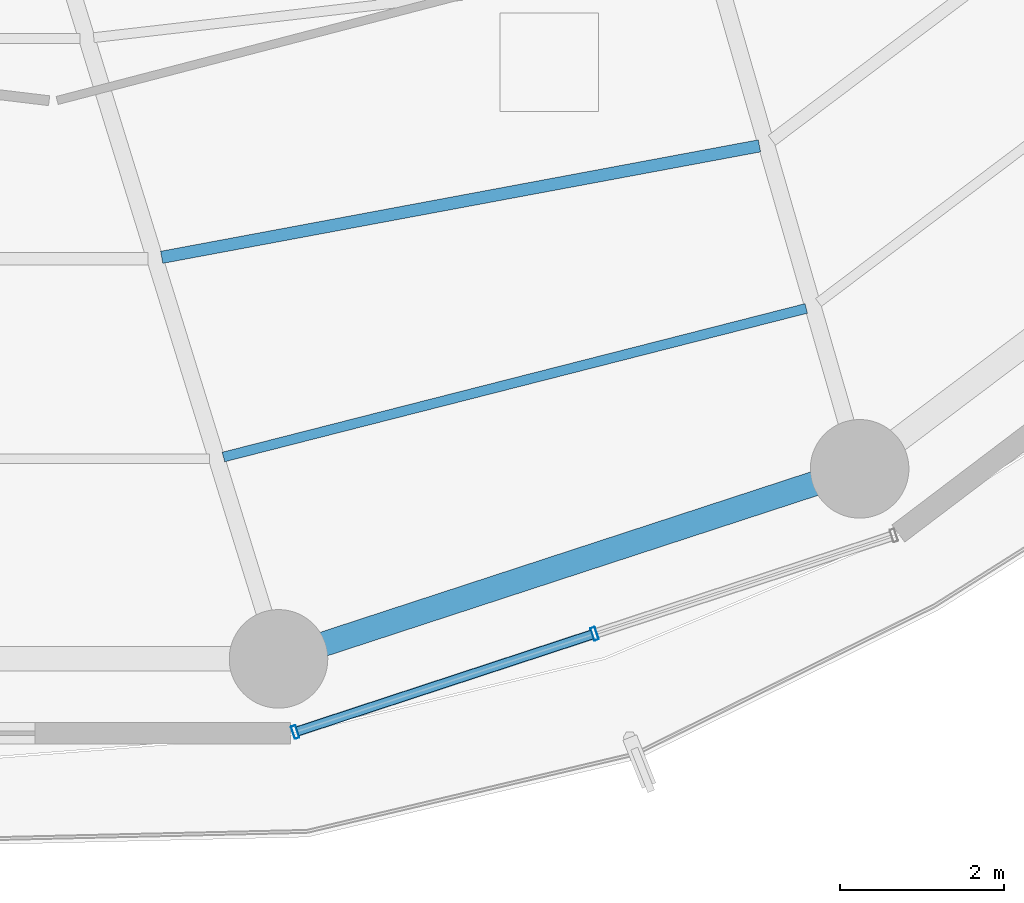
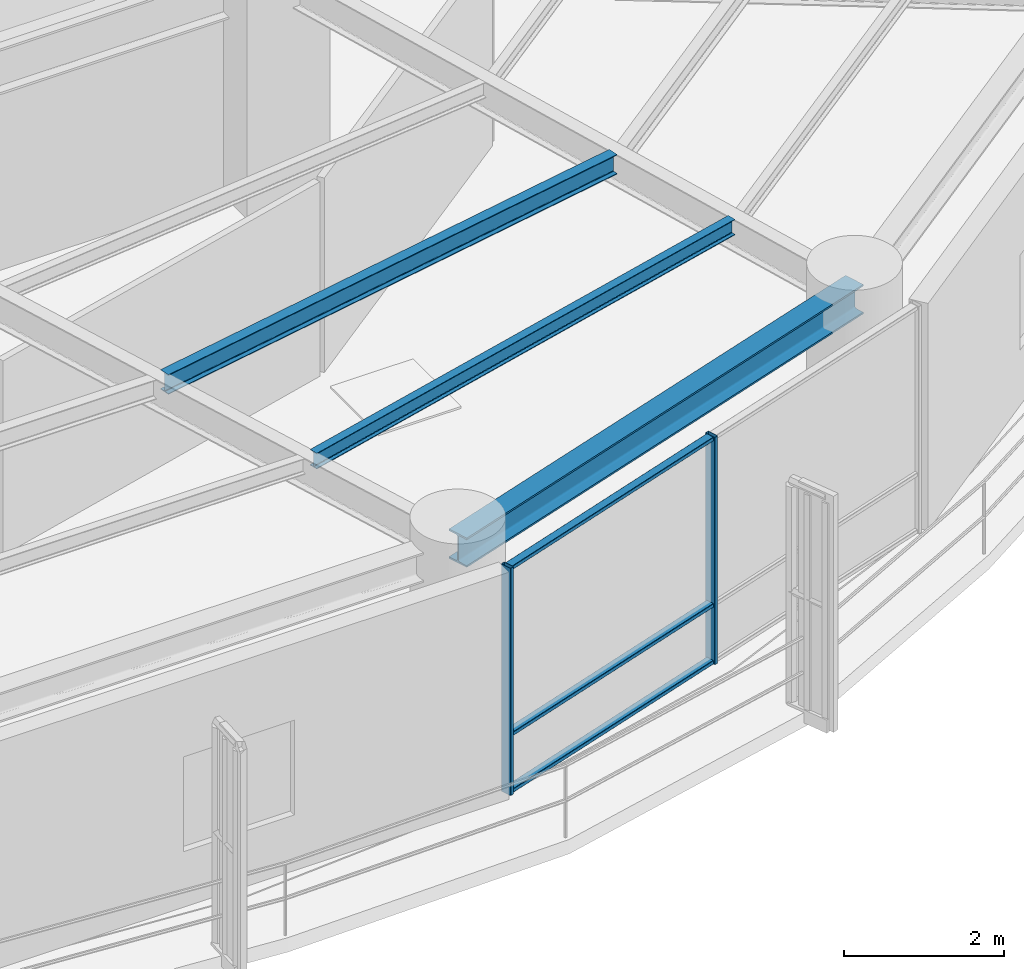
# One storey, part 4 of 27: 5 members, 3 beams, 1 element without a shape of its own.
"""IFC4 building model written with IfcOpenShell, lengths in metres."""

from ifc_helpers import new_model, si_unit, direction, frame, origin, origin_2d, place, context, subcontext, project, spatial, hollow_rectangle, i_section, extrude, material, layer, layer_set, material_profile, profile_set, type_object, element, aggregate, save


model = new_model("IFC4")

# Units and contexts
model_context = context("Model", 3, precision=1e-05, world=origin(), true_north=direction((0.0, 1.0)))
body_context = subcontext(model_context, "Body", "Model", "MODEL_VIEW")
ifc_project = project(units=[si_unit("LENGTHUNIT", "METRE"), si_unit("AREAUNIT", "SQUARE_METRE"), si_unit("VOLUMEUNIT", "CUBIC_METRE"), si_unit("PLANEANGLEUNIT", "RADIAN"), si_unit("MASSUNIT", "GRAM", prefix="KILO")], contexts=[model_context])

# Site, building, storey
site_placement = place(None, origin())
site = spatial("IfcSite", under=ifc_project, at=site_placement, CompositionType="ELEMENT")
building_placement = place(site_placement, origin())
building = spatial("IfcBuilding", under=site, at=building_placement, Name="Kelanora Arch Commons", CompositionType="ELEMENT")
storey_placement = place(building_placement, frame((0.0, 0.0, 154.35009765625)))
storey = spatial("IfcBuildingStorey", under=building, at=storey_placement, Name="L39", CompositionType="ELEMENT", Elevation=154.35009765625)

# Beams
ifc_material_1 = material(Name="Steel S355", Category="steel")
ifc_material_profile_1 = material_profile(ifc_material_1, i_section(OverallWidth=0.14990234375, OverallDepth=0.300048828125, WebThickness=0.007080078125, FlangeThickness=0.0107421875, FilletRadius=0.014892578125, at=origin_2d()), Name="IPE300")
ifc_profile_set_1 = profile_set([ifc_material_profile_1], Name="Steel S355")
beam_type_1 = type_object("IfcBeamType", Name="BM-JST-01", PredefinedType="JOIST", material=ifc_profile_set_1)
beam_1_placement = place(storey_placement, frame((76.34228515625, 43.705078125, 3.33984375), z_axis=(0.983054256126, 0.183314837134, 0.0), x_axis=(-0.183314837134, 0.983054256126, 0.0)))
element("IfcBeam", 1, at=beam_1_placement, inside=storey, type_object=beam_type_1, Name="Secondary Chord Joist BJB-28 L39", PredefinedType="JOIST", context=body_context, shape_type="SweptSolid", body=[
    extrude(i_section(OverallWidth=0.14990234375, OverallDepth=0.300048828125, WebThickness=0.007080078125, FlangeThickness=0.0107421875, FilletRadius=0.014892578125, at=origin_2d()), origin(), (0.0, 0.0, 1.0), 7.403564453125),
])
ifc_material_profile_2 = material_profile(ifc_material_1, i_section(OverallWidth=0.1201171875, OverallDepth=0.239990234375, WebThickness=0.006103515625, FlangeThickness=0.009765625, FilletRadius=0.014892578125, at=origin_2d()), Name="IPE240")
ifc_profile_set_2 = profile_set([ifc_material_profile_2], Name="Steel S355")
beam_type_2 = type_object("IfcBeamType", Name="BM-JST-02", PredefinedType="JOIST", material=ifc_profile_set_2)
beam_2_placement = place(storey_placement, frame((77.093994140625, 41.273681640625, 3.369873046875), z_axis=(0.96900232943, 0.247051584815, 0.0), x_axis=(-0.247051584815, 0.96900232943, 0.0)))
element("IfcBeam", 2, at=beam_2_placement, inside=storey, type_object=beam_type_2, Name="Secondary Chord Joist BJC-28 L39", PredefinedType="JOIST", context=body_context, shape_type="SweptSolid", body=[
    extrude(i_section(OverallWidth=0.1201171875, OverallDepth=0.239990234375, WebThickness=0.006103515625, FlangeThickness=0.009765625, FilletRadius=0.014892578125, at=origin_2d()), origin(), (0.0, 0.0, 1.0), 7.32275390625),
])
ifc_material_profile_3 = material_profile(ifc_material_1, i_section(OverallWidth=0.300048828125, OverallDepth=0.449951171875, WebThickness=0.013916015625, FlangeThickness=0.02587890625, FilletRadius=0.027099609375, at=origin_2d()), Name="HEB450")
ifc_profile_set_3 = profile_set([ifc_material_profile_3], Name="Steel S355")
beam_type_3 = type_object("IfcBeamType", Name="BM-SPN-Z3", PredefinedType="SPANDREL", material=ifc_profile_set_3)
beam_3_placement = place(storey_placement, frame((77.7646484375, 38.81591796875, 3.264892578125), z_axis=(0.950461975786, 0.310840847676, 0.0), x_axis=(-0.310840847676, 0.950461975786, 0.0)))
element("IfcBeam", 3, at=beam_3_placement, inside=storey, type_object=beam_type_3, Name="Perimeter Spandrel Beam BS-28 L39", PredefinedType="SPANDREL", context=body_context, shape_type="SweptSolid", body=[
    extrude(i_section(OverallWidth=0.300048828125, OverallDepth=0.449951171875, WebThickness=0.013916015625, FlangeThickness=0.02587890625, FilletRadius=0.027099609375, at=origin_2d()), origin(), (0.0, 0.0, 1.0), 7.444091796875),
])

# Curtain wall, members
ifc_material_2 = material(Name="Terracotta ceramic-fritted low-E glass and aluminium", Category="masonry")
ifc_layer = layer(ifc_material_2, 0.175048828125)
ifc_layer_set = layer_set([ifc_layer], Name="Terracotta ceramic-fritted low-E glass and aluminium")
curtain_wall_type = type_object("IfcCurtainWallType", Name="CW-SYS-02", PredefinedType="NOTDEFINED", material=ifc_layer_set)
curtain_wall_placement = place(storey_placement, origin())
curtain_wall = element("IfcCurtainWall", 4, at=curtain_wall_placement, inside=storey, type_object=curtain_wall_type, Name="Unitised Curtain Wall L39-B14", PredefinedType="NOTDEFINED")
ifc_material_3 = material(Name="Powder-coated aluminium terracotta", Category="masonry")
ifc_material_profile_4 = material_profile(ifc_material_3, hollow_rectangle(XDim=0.159912109375, YDim=0.06005859375, WallThickness=0.0048828125, InnerFilletRadius=0.0048828125, OuterFilletRadius=0.010009765625, at=origin_2d()), Name="CWM160x60")
ifc_profile_set_4 = profile_set([ifc_material_profile_4], Name="Powder-coated aluminium terracotta")
member_type_1 = type_object("IfcMemberType", Name="CWM-STD", PredefinedType="MULLION", material=ifc_profile_set_4)
member_1_placement = place(storey_placement, frame((77.96728515625, 37.924072265625, 0.0), z_axis=(0.0, 0.0, 1.0), x_axis=(-0.312128279571, 0.95003996605, 0.0)))
member_1 = element("IfcMember", 5, at=member_1_placement, type_object=member_type_1, Name="CW-02 mullion 1", PredefinedType="MULLION", context=body_context, shape_type="SweptSolid", body=[
    extrude(hollow_rectangle(XDim=0.159912109375, YDim=0.06005859375, WallThickness=0.0048828125, InnerFilletRadius=0.0048828125, OuterFilletRadius=0.010009765625, at=origin_2d()), origin(), (0.0, 0.0, 1.0), 3.474853515625),
])
member_2_placement = place(storey_placement, frame((81.6123046875, 39.12158203125, 0.0), z_axis=(0.0, 0.0, 1.0), x_axis=(-0.312128279571, 0.95003996605, 0.0)))
member_2 = element("IfcMember", 6, at=member_2_placement, type_object=member_type_1, Name="CW-02 mullion 2", PredefinedType="MULLION", context=body_context, shape_type="SweptSolid", body=[
    extrude(hollow_rectangle(XDim=0.159912109375, YDim=0.06005859375, WallThickness=0.0048828125, InnerFilletRadius=0.0048828125, OuterFilletRadius=0.010009765625, at=origin_2d()), origin(), (0.0, 0.0, 1.0), 3.474853515625),
])
ifc_material_profile_5 = material_profile(ifc_material_3, hollow_rectangle(XDim=0.1201171875, YDim=0.06005859375, WallThickness=0.0048828125, InnerFilletRadius=0.0048828125, OuterFilletRadius=0.010009765625, at=origin_2d()), Name="CWT120x60")
ifc_profile_set_5 = profile_set([ifc_material_profile_5], Name="Powder-coated aluminium terracotta")
member_type_2 = type_object("IfcMemberType", Name="CWT-STD", PredefinedType="USERDEFINED", material=ifc_profile_set_5)
member_3_placement = place(storey_placement, frame((77.99560546875, 37.933349609375, 0.02978515625), z_axis=(0.950051191155, 0.312094111104, 0.0), x_axis=(-0.312094111104, 0.950051191155, 0.0)))
member_3 = element("IfcMember", 7, at=member_3_placement, type_object=member_type_2, Name="CW-02 transom 1.1", ObjectType="TRANSOM", PredefinedType="USERDEFINED", context=body_context, shape_type="SweptSolid", body=[
    extrude(hollow_rectangle(XDim=0.1201171875, YDim=0.06005859375, WallThickness=0.0048828125, InnerFilletRadius=0.0048828125, OuterFilletRadius=0.010009765625, at=origin_2d()), origin(), (0.0, 0.0, 1.0), 3.77685546875),
])
member_4_placement = place(storey_placement, frame((77.99560546875, 37.933349609375, 0.89990234375), z_axis=(0.950051191155, 0.312094111104, 0.0), x_axis=(-0.312094111104, 0.950051191155, 0.0)))
member_4 = element("IfcMember", 8, at=member_4_placement, type_object=member_type_2, Name="CW-02 transom 1.2", ObjectType="TRANSOM", PredefinedType="USERDEFINED", context=body_context, shape_type="SweptSolid", body=[
    extrude(hollow_rectangle(XDim=0.1201171875, YDim=0.06005859375, WallThickness=0.0048828125, InnerFilletRadius=0.0048828125, OuterFilletRadius=0.010009765625, at=origin_2d()), origin(), (0.0, 0.0, 1.0), 3.77685546875),
])
member_5_placement = place(storey_placement, frame((77.99560546875, 37.933349609375, 3.44482421875), z_axis=(0.950051191155, 0.312094111104, 0.0), x_axis=(-0.312094111104, 0.950051191155, 0.0)))
member_5 = element("IfcMember", 9, at=member_5_placement, type_object=member_type_2, Name="CW-02 transom 1.3", ObjectType="TRANSOM", PredefinedType="USERDEFINED", context=body_context, shape_type="SweptSolid", body=[
    extrude(hollow_rectangle(XDim=0.1201171875, YDim=0.06005859375, WallThickness=0.0048828125, InnerFilletRadius=0.0048828125, OuterFilletRadius=0.010009765625, at=origin_2d()), origin(), (0.0, 0.0, 1.0), 3.77685546875),
])
aggregate(curtain_wall, [member_1, member_2, member_3, member_4, member_5])

save(model, "model.ifc")
